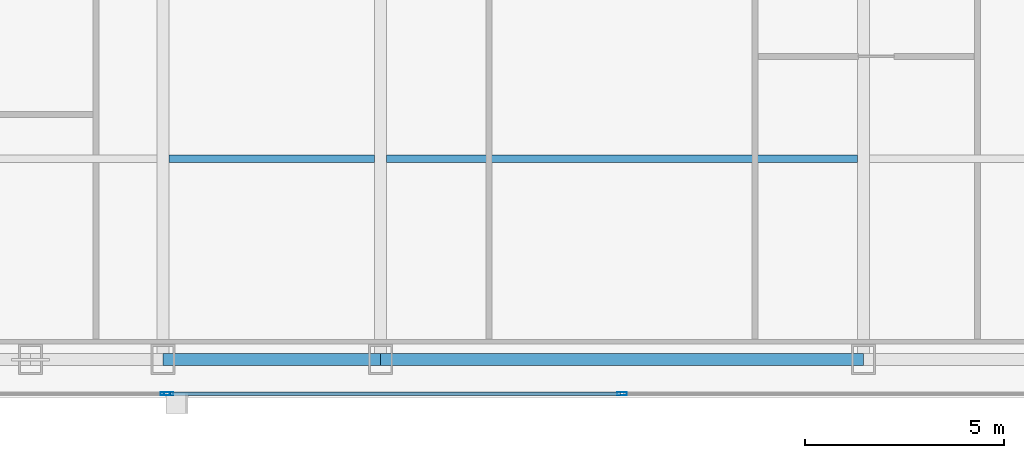
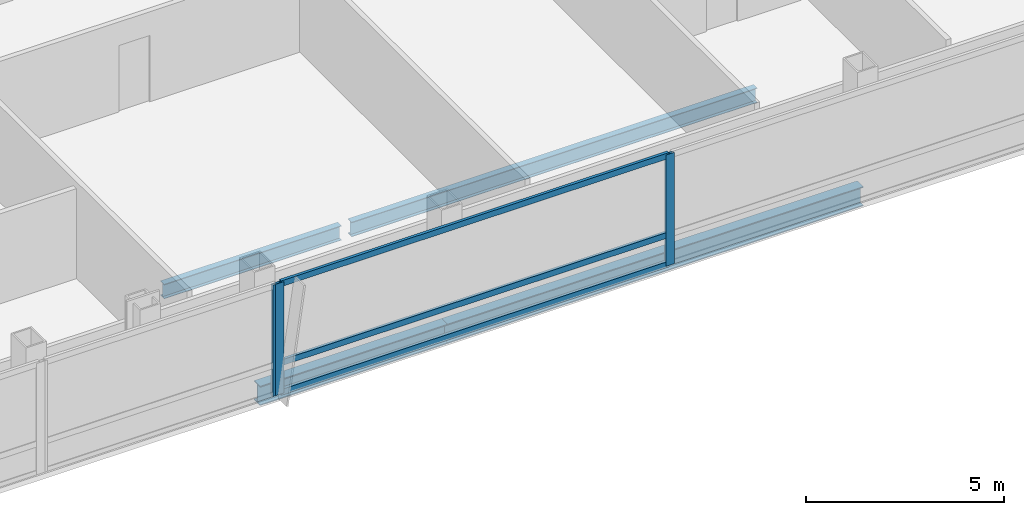
# One storey, part 8 of 29: 6 members, 4 beams, 2 elements without a shape of their own.
"""IFC4 building model written with IfcOpenShell, lengths in metres."""

from ifc_helpers import new_model, si_unit, direction, frame, origin, origin_2d, place, context, subcontext, project, spatial, hollow_rectangle, i_section, extrude, material, material_profile, profile_set, type_object, element, aggregate, save


model = new_model("IFC4")

# Units and contexts
model_context = context("Model", 3, precision=1e-05, world=origin(), true_north=direction((0.0, 1.0)))
body_context = subcontext(model_context, "Body", "Model", "MODEL_VIEW")
ifc_project = project(units=[si_unit("LENGTHUNIT", "METRE"), si_unit("AREAUNIT", "SQUARE_METRE"), si_unit("VOLUMEUNIT", "CUBIC_METRE"), si_unit("PLANEANGLEUNIT", "RADIAN"), si_unit("MASSUNIT", "GRAM", prefix="KILO")], contexts=[model_context])

# Site, building, storey
site_placement = place(None, origin())
site = spatial("IfcSite", under=ifc_project, at=site_placement, CompositionType="ELEMENT")
building_placement = place(site_placement, origin())
building = spatial("IfcBuilding", under=site, at=building_placement, Name="Khoronbel Lancet Exchange", CompositionType="ELEMENT")
storey_placement = place(building_placement, frame((0.0, 0.0, 246.199951171875)))
storey = spatial("IfcBuildingStorey", under=building, at=storey_placement, Name="L63", CompositionType="ELEMENT", Elevation=246.199951171875)

# Beams
ifc_material_1 = material(Name="Steel S355", Category="steel")
ifc_material_profile_1 = material_profile(ifc_material_1, i_section(OverallWidth=0.18994140625, OverallDepth=0.449951171875, WebThickness=0.009521484375, FlangeThickness=0.0146484375, at=origin_2d()), Name="IPE 450")
ifc_profile_set_1 = profile_set([ifc_material_profile_1], Name="Steel S355")
beam_type_1 = type_object("IfcBeamType", Name="BM-BJ4", PredefinedType="JOIST", material=ifc_profile_set_1)
beam_1_placement = place(storey_placement, frame((25.050048828125, 15.199951171875, -0.385009765625), z_axis=(1.0, 0.0, 0.0), x_axis=(0.0, 1.0, 0.0)))
element("IfcBeam", 1, at=beam_1_placement, inside=storey, type_object=beam_type_1, Name="Level L63 secondary composite joist J02", PredefinedType="JOIST", context=body_context, shape_type="SweptSolid", body=[
    extrude(i_section(OverallWidth=0.18994140625, OverallDepth=0.449951171875, WebThickness=0.009521484375, FlangeThickness=0.0146484375, at=origin_2d()), origin(), (0.0, 0.0, 1.0), 5.175048828125),
])
beam_2_placement = place(storey_placement, frame((30.52490234375, 15.199951171875, -0.385009765625), z_axis=(1.0, 0.0, 0.0), x_axis=(0.0, 1.0, 0.0)))
element("IfcBeam", 2, at=beam_2_placement, inside=storey, type_object=beam_type_1, Name="Level L63 secondary composite joist J03", PredefinedType="JOIST", context=body_context, shape_type="SweptSolid", body=[
    extrude(i_section(OverallWidth=0.18994140625, OverallDepth=0.449951171875, WebThickness=0.009521484375, FlangeThickness=0.0146484375, at=origin_2d()), origin(), (0.0, 0.0, 1.0), 11.85009765625),
])
ifc_material_profile_2 = material_profile(ifc_material_1, i_section(OverallWidth=0.300048828125, OverallDepth=0.60009765625, WebThickness=0.015380859375, FlangeThickness=0.030029296875, at=origin_2d()), Name="HEB 600")
ifc_profile_set_2 = profile_set([ifc_material_profile_2], Name="Steel S355")
beam_type_2 = type_object("IfcBeamType", Name="BM-BSP2", PredefinedType="SPANDREL", material=ifc_profile_set_2)
beam_3_placement = place(storey_placement, frame((24.89990234375, 10.14990234375, -0.4599609375), z_axis=(1.0, 0.0, 0.0), x_axis=(0.0, 1.0, 0.0)))
element("IfcBeam", 3, at=beam_3_placement, inside=storey, type_object=beam_type_2, Name="Level L63 perimeter spandrel beam SP04", PredefinedType="SPANDREL", context=body_context, shape_type="SweptSolid", body=[
    extrude(i_section(OverallWidth=0.300048828125, OverallDepth=0.60009765625, WebThickness=0.015380859375, FlangeThickness=0.030029296875, at=origin_2d()), origin(), (0.0, 0.0, 1.0), 5.47509765625),
])
beam_4_placement = place(storey_placement, frame((30.375, 10.14990234375, -0.4599609375), z_axis=(1.0, 0.0, 0.0), x_axis=(0.0, 1.0, 0.0)))
element("IfcBeam", 4, at=beam_4_placement, inside=storey, type_object=beam_type_2, Name="Level L63 perimeter spandrel beam SP05", PredefinedType="SPANDREL", context=body_context, shape_type="SweptSolid", body=[
    extrude(i_section(OverallWidth=0.300048828125, OverallDepth=0.60009765625, WebThickness=0.015380859375, FlangeThickness=0.030029296875, at=origin_2d()), origin(), (0.0, 0.0, 1.0), 12.14990234375),
])

# Curtain wall, member
ifc_material_2 = material(Name="Low-E Solar Control Insulating Glass", Category="glass")
curtain_wall_type = type_object("IfcCurtainWallType", Name="CW-3", PredefinedType="NOTDEFINED", material=ifc_material_2)
curtain_wall_1_placement = place(storey_placement, origin())
curtain_wall_1 = element("IfcCurtainWall", 5, at=curtain_wall_1_placement, inside=storey, type_object=curtain_wall_type, Name="Unitised curtain wall CW-L63-SWB", PredefinedType="NOTDEFINED")
ifc_material_3 = material(Name="Bronze-Anodised Aluminium 6063-T6", Category="aluminium")
ifc_material_profile_3 = material_profile(ifc_material_3, hollow_rectangle(XDim=0.0849609375, YDim=0.239990234375, WallThickness=0.006103515625, at=origin_2d()), Name="ALU MULLION 85x240")
ifc_profile_set_3 = profile_set([ifc_material_profile_3], Name="Bronze-Anodised Aluminium 6063-T6")
member_type_1 = type_object("IfcMemberType", Name="MEM-CWM1", PredefinedType="MULLION", material=ifc_profile_set_3)
member_1_placement = place(storey_placement, frame((24.95751953125, 9.2900390625, 0.0), z_axis=(0.0, 0.0, 1.0), x_axis=(0.0, 1.0, 0.0)))
member_1 = element("IfcMember", 6, at=member_1_placement, type_object=member_type_1, Name="CW3 mullion 2", PredefinedType="MULLION", context=body_context, shape_type="SweptSolid", body=[
    extrude(hollow_rectangle(XDim=0.0849609375, YDim=0.239990234375, WallThickness=0.006103515625, at=origin_2d()), origin(), (0.0, 0.0, 1.0), 3.43994140625),
])
aggregate(curtain_wall_1, [member_1])

# Curtain wall, members
curtain_wall_2_placement = place(storey_placement, origin())
curtain_wall_2 = element("IfcCurtainWall", 7, at=curtain_wall_2_placement, inside=storey, type_object=curtain_wall_type, Name="Unitised curtain wall CW-L63-SCV", PredefinedType="NOTDEFINED")
member_2_placement = place(storey_placement, frame((25.04248046875, 9.2900390625, 0.0), z_axis=(0.0, 0.0, 1.0), x_axis=(0.0, 1.0, 0.0)))
member_2 = element("IfcMember", 8, at=member_2_placement, type_object=member_type_1, Name="CW3 mullion 1", PredefinedType="MULLION", context=body_context, shape_type="SweptSolid", body=[
    extrude(hollow_rectangle(XDim=0.0849609375, YDim=0.239990234375, WallThickness=0.006103515625, at=origin_2d()), origin(), (0.0, 0.0, 1.0), 3.43994140625),
])
member_3_placement = place(storey_placement, frame((36.449951171875, 9.2900390625, 0.0), z_axis=(0.0, 0.0, 1.0), x_axis=(0.0, 1.0, 0.0)))
member_3 = element("IfcMember", 9, at=member_3_placement, type_object=member_type_1, Name="CW3 mullion 2", PredefinedType="MULLION", context=body_context, shape_type="SweptSolid", body=[
    extrude(hollow_rectangle(XDim=0.0849609375, YDim=0.239990234375, WallThickness=0.006103515625, at=origin_2d()), origin(), (0.0, 0.0, 1.0), 3.43994140625),
])
ifc_material_profile_4 = material_profile(ifc_material_3, hollow_rectangle(XDim=0.0849609375, YDim=0.179931640625, WallThickness=0.0048828125, at=origin_2d()), Name="ALU TRANSOM 85x180")
ifc_profile_set_4 = profile_set([ifc_material_profile_4], Name="Bronze-Anodised Aluminium 6063-T6")
member_type_2 = type_object("IfcMemberType", Name="MEM-CWT1", PredefinedType="USERDEFINED", material=ifc_profile_set_4)
member_4_placement = place(storey_placement, frame((25.0849609375, 9.2900390625, 0.04248046875), z_axis=(1.0, 0.0, 0.0), x_axis=(0.0, 1.0, 0.0)))
member_4 = element("IfcMember", 10, at=member_4_placement, type_object=member_type_2, Name="CW3 transom 1.1", ObjectType="TRANSOM", PredefinedType="USERDEFINED", context=body_context, shape_type="SweptSolid", body=[
    extrude(hollow_rectangle(XDim=0.0849609375, YDim=0.179931640625, WallThickness=0.0048828125, at=origin_2d()), origin(), (0.0, 0.0, 1.0), 11.322509765625),
])
member_5_placement = place(storey_placement, frame((25.0849609375, 9.2900390625, 0.949951171875), z_axis=(1.0, 0.0, 0.0), x_axis=(0.0, 1.0, 0.0)))
member_5 = element("IfcMember", 11, at=member_5_placement, type_object=member_type_2, Name="CW3 transom 1.2", ObjectType="TRANSOM", PredefinedType="USERDEFINED", context=body_context, shape_type="SweptSolid", body=[
    extrude(hollow_rectangle(XDim=0.0849609375, YDim=0.179931640625, WallThickness=0.0048828125, at=origin_2d()), origin(), (0.0, 0.0, 1.0), 11.322509765625),
])
member_6_placement = place(storey_placement, frame((25.0849609375, 9.2900390625, 3.3974609375), z_axis=(1.0, 0.0, 0.0), x_axis=(0.0, 1.0, 0.0)))
member_6 = element("IfcMember", 12, at=member_6_placement, type_object=member_type_2, Name="CW3 transom 1.3", ObjectType="TRANSOM", PredefinedType="USERDEFINED", context=body_context, shape_type="SweptSolid", body=[
    extrude(hollow_rectangle(XDim=0.0849609375, YDim=0.179931640625, WallThickness=0.0048828125, at=origin_2d()), origin(), (0.0, 0.0, 1.0), 11.322509765625),
])
aggregate(curtain_wall_2, [member_2, member_3, member_4, member_5, member_6])

save(model, "model.ifc")
